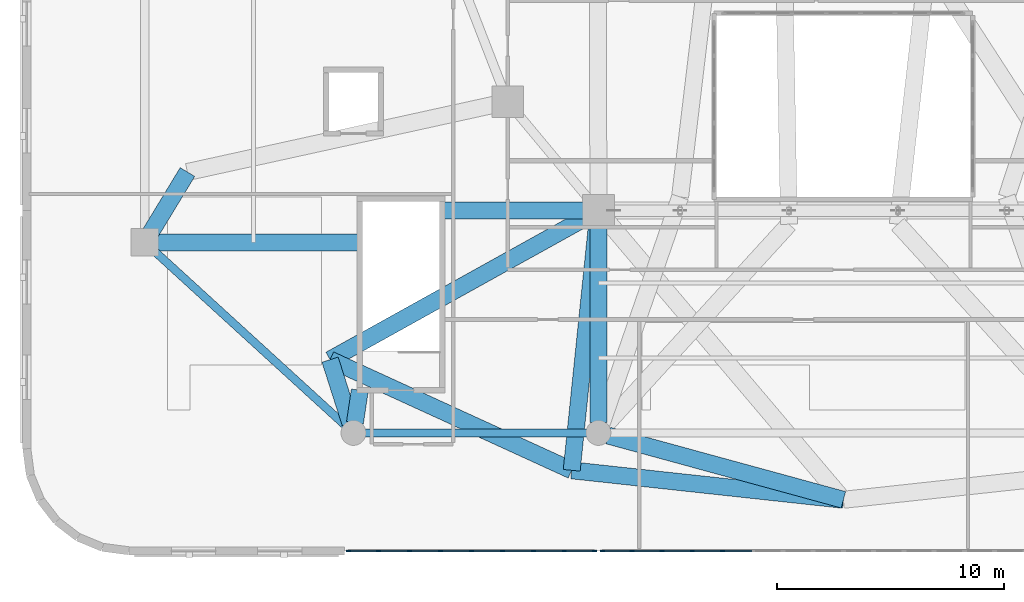
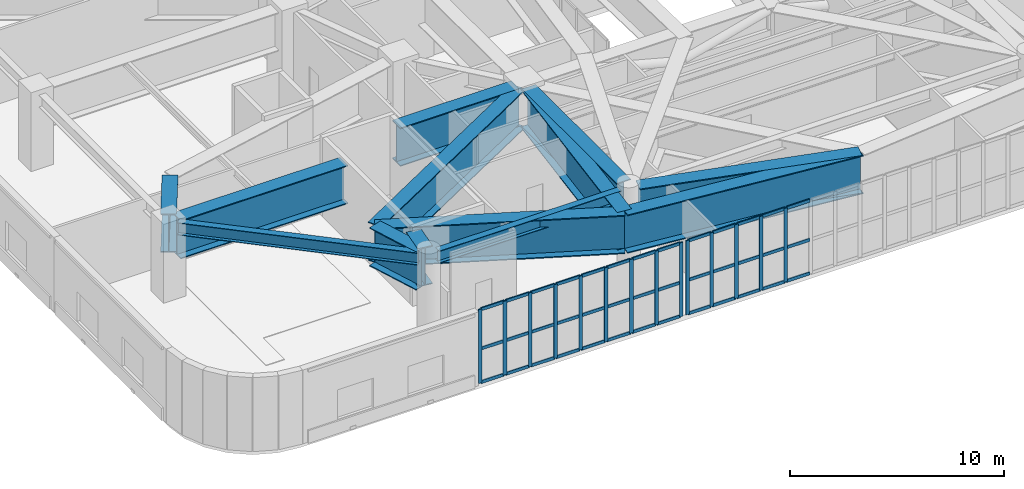
# One storey, part 3 of 26: 53 members, 13 beams, 2 elements without a shape of their own.
"""IFC4 building model written with IfcOpenShell, lengths in metres."""

import ifcopenshell
import ifcopenshell.guid

model = None  # the IFC model being written
_history = None  # IfcOwnerHistory: only IFC2X3 demands one
_inside = {}  # id of a spatial element -> (the spatial element, [elements in it])
_under = {}  # id of a project, library or spatial element -> (it, [spatial elements below it])
_declared = {}  # id of a project -> (the project, [libraries it declares])
_typed = {}  # id of a type object -> (the type object, [elements of that type])
_made_of = {}  # id of a material, layer set ... -> (it, [elements and type objects made of it])


def new_model(schema):
    """Start an empty IFC model of exactly this schema.

    Asked for "IFC4X3", IfcOpenShell would pick the latest addendum, in which some entities
    have other attributes; the version numbers below select the first issue.
    IFC2X3 requires an IfcOwnerHistory on every rooted entity: one is made here for all.
    """
    global model, _history
    if schema == "IFC4X3":
        model = ifcopenshell.file(schema_version=(4, 3, 0, 0))
    else:
        model = ifcopenshell.file(schema=schema)
    _inside.clear()
    _under.clear()
    _declared.clear()
    _typed.clear()
    _made_of.clear()
    _history = None
    if model.schema == "IFC2X3":
        org = make("IfcOrganization", Name="unknown")
        user = make(
            "IfcPersonAndOrganization",
            ThePerson=make("IfcPerson", FamilyName="unknown"),
            TheOrganization=org,
        )
        app = make(
            "IfcApplication",
            ApplicationDeveloper=org,
            Version="unknown",
            ApplicationFullName="unknown",
            ApplicationIdentifier="unknown",
        )
        _history = make(
            "IfcOwnerHistory",
            OwningUser=user,
            OwningApplication=app,
            ChangeAction="ADDED",
            CreationDate=0,
        )
    return model


def make(cls, **values):
    """One entity of the class cls with the attributes given. An attribute that is None is left unset."""
    return model.create_entity(
        cls, **{name: value for name, value in values.items() if value is not None}
    )


def rooted(cls, **values):
    """An entity with a GlobalId (a new one), such as an element, a storey or a relation."""
    return make(cls, GlobalId=ifcopenshell.guid.new(), OwnerHistory=_history, **values)


def si_unit(unit_type, name, prefix=None):
    """IfcSIUnit, for example si_unit("LENGTHUNIT", "METRE", prefix="MILLI")."""
    return make("IfcSIUnit", UnitType=unit_type, Prefix=prefix, Name=name)


def assignment(units):
    """IfcUnitAssignment: the units of a project."""
    return None if units is None else make("IfcUnitAssignment", Units=units)


def point(xyz):
    """IfcCartesianPoint."""
    return None if xyz is None else make("IfcCartesianPoint", Coordinates=xyz)


def direction(xyz):
    """IfcDirection."""
    return None if xyz is None else make("IfcDirection", DirectionRatios=xyz)


def frame(location, z_axis=None, x_axis=None):
    """IfcAxis2Placement3D, a coordinate frame: its origin and axes. An axis left out is left unset."""
    return make(
        "IfcAxis2Placement3D",
        Location=point(location),
        Axis=direction(z_axis),
        RefDirection=direction(x_axis),
    )


def frame_2d(location, x_axis=None):
    """IfcAxis2Placement2D, a coordinate frame in the plane: its origin and x axis."""
    return make(
        "IfcAxis2Placement2D", Location=point(location), RefDirection=direction(x_axis)
    )


def origin():
    """The frame at (0, 0, 0) with its axes left unset."""
    return frame((0.0, 0.0, 0.0))


def origin_2d():
    """The frame at (0, 0) in the plane with its x axis left unset."""
    return frame_2d((0.0, 0.0))


def place(relative_to, where):
    """IfcLocalPlacement: puts the frame where relative to a parent placement (None: the world)."""
    return make(
        "IfcLocalPlacement", PlacementRelTo=relative_to, RelativePlacement=where
    )


def context(
    kind, dimensions, precision=None, world=None, true_north=None, identifier=None
):
    """IfcGeometricRepresentationContext, for example the 3D "Model" context."""
    return make(
        "IfcGeometricRepresentationContext",
        ContextIdentifier=identifier,
        ContextType=kind,
        CoordinateSpaceDimension=dimensions,
        Precision=precision,
        WorldCoordinateSystem=world,
        TrueNorth=true_north,
    )


def subcontext(parent, identifier, kind, view, scale=None):
    """IfcGeometricRepresentationSubContext, for example "Body" below "Model"."""
    return make(
        "IfcGeometricRepresentationSubContext",
        ContextIdentifier=identifier,
        ContextType=kind,
        ParentContext=parent,
        TargetScale=scale,
        TargetView=view,
    )


def project(units=None, contexts=None):
    """IfcProject with its units and contexts."""
    return rooted(
        "IfcProject",
        Name="project",
        RepresentationContexts=contexts,
        UnitsInContext=assignment(units),
    )


def spatial(cls, under=None, at=None, **own):
    """A site, building, storey or space (cls), placed at a placement, below another one or the project."""
    s = rooted(cls, ObjectPlacement=at, **own)
    if under is not None:
        _under.setdefault(under.id(), (under, []))[1].append(s)
    return s


def profile(cls, at=None, kind="AREA", **sizes):
    """A parametric profile (cls). Its sizes go by their IFC names, for example OverallWidth=200.0."""
    return make(cls, ProfileType=kind, Position=at, **sizes)


def rectangle(**sizes):
    """IfcRectangleProfileDef."""
    return profile("IfcRectangleProfileDef", **sizes)


def i_section(**sizes):
    """IfcIShapeProfileDef."""
    return profile("IfcIShapeProfileDef", **sizes)


def extrude(swept, where, along, depth):
    """IfcExtrudedAreaSolid: the profile swept, set in the frame where, extruded along a direction by depth."""
    return make(
        "IfcExtrudedAreaSolid",
        SweptArea=swept,
        Position=where,
        ExtrudedDirection=direction(along),
        Depth=depth,
    )


def shape(context_of_items, identifier, shape_type, items):
    """IfcShapeRepresentation: the items that make up one representation, for example the "Body"."""
    return make(
        "IfcShapeRepresentation",
        ContextOfItems=context_of_items,
        RepresentationIdentifier=identifier,
        RepresentationType=shape_type,
        Items=items,
    )


def material(Name=None, Category=None):
    """IfcMaterial."""
    return make("IfcMaterial", Name=Name, Category=Category)


def material_profile(
    of_material, cross_section, Name=None, Category=None, Priority=None
):
    """IfcMaterialProfile: a cross section and its material."""
    return make(
        "IfcMaterialProfile",
        Name=Name,
        Material=of_material,
        Profile=cross_section,
        Priority=Priority,
        Category=Category,
    )


def profile_set(profiles, Name=None, composite=None):
    """IfcMaterialProfileSet."""
    return make(
        "IfcMaterialProfileSet",
        Name=Name,
        MaterialProfiles=profiles,
        CompositeProfile=composite,
    )


def made_of(thing, what):
    """Note that an element or type object is made of a material, layer set ...; save() writes the relation."""
    if what is not None:
        _made_of.setdefault(what.id(), (what, []))[1].append(thing)
    return thing


def type_object(cls, material=None, **own):
    """A type object (cls), such as IfcWallType, which elements share."""
    return made_of(rooted(cls, **own), material)


def element(
    cls,
    number,
    at=None,
    inside=None,
    cuts=None,
    type_object=None,
    material=None,
    context=None,
    identifier="Body",
    shape_type=None,
    held_by="IfcProductDefinitionShape",
    body=None,
    shapes=None,
    **own,
):
    """One element of the class cls, such as IfcWall. Its Tag is "e" and its number.

    at: its placement. inside: the storey or other place that contains it. cuts: it is an
    opening in that element (IfcRelVoidsElement). A single representation is given by context,
    identifier, shape_type and body (its items); several are given by shapes. held_by: the class
    of the entity that holds the representations. save() writes the other relations.
    """
    e = rooted(cls, Tag="e%d" % number, ObjectPlacement=at, **own)
    if body is not None:
        shapes = [shape(context, identifier, shape_type, body)]
    if shapes is not None:
        e.Representation = make(held_by, Representations=shapes)
    if inside is not None:
        _inside.setdefault(inside.id(), (inside, []))[1].append(e)
    if cuts is not None:
        rooted(
            "IfcRelVoidsElement", RelatingBuildingElement=cuts, RelatedOpeningElement=e
        )
    if type_object is not None:
        _typed.setdefault(type_object.id(), (type_object, []))[1].append(e)
    return made_of(e, material)


def aggregate(whole, parts):
    """IfcRelAggregates: a whole, such as a stair, and the parts it consists of."""
    return rooted("IfcRelAggregates", RelatingObject=whole, RelatedObjects=parts)


def save(model, path):
    """Write the relations noted so far, then the file.

    IfcRelAggregates (storeys below a building ...), IfcRelContainedInSpatialStructure (elements
    in a storey), IfcRelDefinesByType, IfcRelAssociatesMaterial and IfcRelDeclares: one each for
    every whole, place, type object, material and project.
    """
    for whole, parts in _under.values():
        aggregate(whole, parts)
    for where, things in _inside.values():
        rooted(
            "IfcRelContainedInSpatialStructure",
            RelatedElements=things,
            RelatingStructure=where,
        )
    for kind, things in _typed.values():
        rooted("IfcRelDefinesByType", RelatedObjects=things, RelatingType=kind)
    for what, things in _made_of.values():
        rooted("IfcRelAssociatesMaterial", RelatedObjects=things, RelatingMaterial=what)
    for by, libraries in _declared.values():
        rooted("IfcRelDeclares", RelatingContext=by, RelatedDefinitions=libraries)
    model.write(path)


model = new_model("IFC4")

# Units and contexts
model_context = context("Model", 3, precision=1e-05, world=origin(), true_north=direction((0.0, 1.0)))
body_context = subcontext(model_context, "Body", "Model", "MODEL_VIEW")
ifc_project = project(units=[si_unit("LENGTHUNIT", "METRE"), si_unit("AREAUNIT", "SQUARE_METRE"), si_unit("VOLUMEUNIT", "CUBIC_METRE"), si_unit("PLANEANGLEUNIT", "RADIAN"), si_unit("MASSUNIT", "GRAM", prefix="KILO")], contexts=[model_context])

# Site, building, storey
site_placement = place(None, origin())
site = spatial("IfcSite", under=ifc_project, at=site_placement, CompositionType="ELEMENT")
building_placement = place(site_placement, origin())
building = spatial("IfcBuilding", under=site, at=building_placement, Name="Haldorwick Loom Tower", CompositionType="ELEMENT")
storey_placement = place(building_placement, frame((0.0, 0.0, 19.5)))
storey = spatial("IfcBuildingStorey", under=building, at=storey_placement, Name="L04", CompositionType="ELEMENT", Elevation=19.5)

# Curtain wall, members
ifc_material_1 = material(Name="Thermally Broken Anodized Aluminium Curtain Wall Framing", Category="aluminium")
curtain_wall_type = type_object("IfcCurtainWallType", Name="ARC-CW-02", PredefinedType="NOTDEFINED", material=ifc_material_1)
curtain_wall_1_placement = place(storey_placement, origin())
curtain_wall_1 = element("IfcCurtainWall", 1, at=curtain_wall_1_placement, inside=storey, type_object=curtain_wall_type, Name="L04 Facade Curtain Wall CW-02 Bay 39", PredefinedType="NOTDEFINED")
ifc_material_profile_1 = material_profile(ifc_material_1, rectangle(XDim=0.070068359375, YDim=0.195068359375, at=origin_2d()), Name="ALU_MUL_70X195", Category="aluminium")
ifc_profile_set_1 = profile_set([ifc_material_profile_1], Name="Thermally Broken Anodized Aluminium Curtain Wall Framing")
member_type_1 = type_object("IfcMemberType", Name="ARC-CWM-02", PredefinedType="MULLION", material=ifc_profile_set_1)
member_1_placement = place(storey_placement, frame((14.175048828125, 0.0, 0.0), z_axis=(0.0, 0.0, 1.0), x_axis=(0.0, 1.0, 0.0)))
member_1 = element("IfcMember", 2, at=member_1_placement, type_object=member_type_1, Name="CW-02 mullion 1", PredefinedType="MULLION", context=body_context, shape_type="SweptSolid", body=[
    extrude(rectangle(XDim=0.070068359375, YDim=0.195068359375, at=origin_2d()), origin(), (0.0, 0.0, 1.0), 4.219970703125),
])
member_2_placement = place(storey_placement, frame((15.5048828125, 0.0, 0.0), z_axis=(0.0, 0.0, 1.0), x_axis=(0.0, 1.0, 0.0)))
member_2 = element("IfcMember", 3, at=member_2_placement, type_object=member_type_1, Name="CW-02 mullion 2", PredefinedType="MULLION", context=body_context, shape_type="SweptSolid", body=[
    extrude(rectangle(XDim=0.070068359375, YDim=0.195068359375, at=origin_2d()), origin(), (0.0, 0.0, 1.0), 4.219970703125),
])
member_3_placement = place(storey_placement, frame((16.8701171875, 0.0, 0.0), z_axis=(0.0, 0.0, 1.0), x_axis=(0.0, 1.0, 0.0)))
member_3 = element("IfcMember", 4, at=member_3_placement, type_object=member_type_1, Name="CW-02 mullion 3", PredefinedType="MULLION", context=body_context, shape_type="SweptSolid", body=[
    extrude(rectangle(XDim=0.070068359375, YDim=0.195068359375, at=origin_2d()), origin(), (0.0, 0.0, 1.0), 4.219970703125),
])
member_4_placement = place(storey_placement, frame((18.235107421875, 0.0, 0.0), z_axis=(0.0, 0.0, 1.0), x_axis=(0.0, 1.0, 0.0)))
member_4 = element("IfcMember", 5, at=member_4_placement, type_object=member_type_1, Name="CW-02 mullion 4", PredefinedType="MULLION", context=body_context, shape_type="SweptSolid", body=[
    extrude(rectangle(XDim=0.070068359375, YDim=0.195068359375, at=origin_2d()), origin(), (0.0, 0.0, 1.0), 4.219970703125),
])
member_5_placement = place(storey_placement, frame((19.60009765625, 0.0, 0.0), z_axis=(0.0, 0.0, 1.0), x_axis=(0.0, 1.0, 0.0)))
member_5 = element("IfcMember", 6, at=member_5_placement, type_object=member_type_1, Name="CW-02 mullion 5", PredefinedType="MULLION", context=body_context, shape_type="SweptSolid", body=[
    extrude(rectangle(XDim=0.070068359375, YDim=0.195068359375, at=origin_2d()), origin(), (0.0, 0.0, 1.0), 4.219970703125),
])
member_6_placement = place(storey_placement, frame((20.965087890625, 0.0, 0.0), z_axis=(0.0, 0.0, 1.0), x_axis=(0.0, 1.0, 0.0)))
member_6 = element("IfcMember", 7, at=member_6_placement, type_object=member_type_1, Name="CW-02 mullion 6", PredefinedType="MULLION", context=body_context, shape_type="SweptSolid", body=[
    extrude(rectangle(XDim=0.070068359375, YDim=0.195068359375, at=origin_2d()), origin(), (0.0, 0.0, 1.0), 4.219970703125),
])
member_7_placement = place(storey_placement, frame((22.330078125, 0.0, 0.0), z_axis=(0.0, 0.0, 1.0), x_axis=(0.0, 1.0, 0.0)))
member_7 = element("IfcMember", 8, at=member_7_placement, type_object=member_type_1, Name="CW-02 mullion 7", PredefinedType="MULLION", context=body_context, shape_type="SweptSolid", body=[
    extrude(rectangle(XDim=0.070068359375, YDim=0.195068359375, at=origin_2d()), origin(), (0.0, 0.0, 1.0), 4.219970703125),
])
member_8_placement = place(storey_placement, frame((23.695068359375, 0.0, 0.0), z_axis=(0.0, 0.0, 1.0), x_axis=(0.0, 1.0, 0.0)))
member_8 = element("IfcMember", 9, at=member_8_placement, type_object=member_type_1, Name="CW-02 mullion 8", PredefinedType="MULLION", context=body_context, shape_type="SweptSolid", body=[
    extrude(rectangle(XDim=0.070068359375, YDim=0.195068359375, at=origin_2d()), origin(), (0.0, 0.0, 1.0), 4.219970703125),
])
member_9_placement = place(storey_placement, frame((25.02490234375, 0.0, 0.0), z_axis=(0.0, 0.0, 1.0), x_axis=(0.0, 1.0, 0.0)))
member_9 = element("IfcMember", 10, at=member_9_placement, type_object=member_type_1, Name="CW-02 mullion 9", PredefinedType="MULLION", context=body_context, shape_type="SweptSolid", body=[
    extrude(rectangle(XDim=0.070068359375, YDim=0.195068359375, at=origin_2d()), origin(), (0.0, 0.0, 1.0), 4.219970703125),
])

curtain_wall_2_placement = place(storey_placement, origin())
curtain_wall_2 = element("IfcCurtainWall", 11, at=curtain_wall_2_placement, inside=storey, type_object=curtain_wall_type, Name="L04 Facade Curtain Wall CW-02 Bay 40", PredefinedType="NOTDEFINED")
member_10_placement = place(storey_placement, frame((25.375, 0.0, 0.0), z_axis=(0.0, 0.0, 1.0), x_axis=(0.0, 1.0, 0.0)))
member_10 = element("IfcMember", 12, at=member_10_placement, type_object=member_type_1, Name="CW-02 mullion 1", PredefinedType="MULLION", context=body_context, shape_type="SweptSolid", body=[
    extrude(rectangle(XDim=0.070068359375, YDim=0.195068359375, at=origin_2d()), origin(), (0.0, 0.0, 1.0), 4.219970703125),
])
member_11_placement = place(storey_placement, frame((26.672607421875, 0.0, 0.0), z_axis=(0.0, 0.0, 1.0), x_axis=(0.0, 1.0, 0.0)))
member_11 = element("IfcMember", 13, at=member_11_placement, type_object=member_type_1, Name="CW-02 mullion 2", PredefinedType="MULLION", context=body_context, shape_type="SweptSolid", body=[
    extrude(rectangle(XDim=0.070068359375, YDim=0.195068359375, at=origin_2d()), origin(), (0.0, 0.0, 1.0), 4.219970703125),
])
member_12_placement = place(storey_placement, frame((28.0048828125, 0.0, 0.0), z_axis=(0.0, 0.0, 1.0), x_axis=(0.0, 1.0, 0.0)))
member_12 = element("IfcMember", 14, at=member_12_placement, type_object=member_type_1, Name="CW-02 mullion 3", PredefinedType="MULLION", context=body_context, shape_type="SweptSolid", body=[
    extrude(rectangle(XDim=0.070068359375, YDim=0.195068359375, at=origin_2d()), origin(), (0.0, 0.0, 1.0), 4.219970703125),
])
member_13_placement = place(storey_placement, frame((29.33740234375, 0.0, 0.0), z_axis=(0.0, 0.0, 1.0), x_axis=(0.0, 1.0, 0.0)))
member_13 = element("IfcMember", 15, at=member_13_placement, type_object=member_type_1, Name="CW-02 mullion 4", PredefinedType="MULLION", context=body_context, shape_type="SweptSolid", body=[
    extrude(rectangle(XDim=0.070068359375, YDim=0.195068359375, at=origin_2d()), origin(), (0.0, 0.0, 1.0), 4.219970703125),
])
member_14_placement = place(storey_placement, frame((30.669921875, 0.0, 0.0), z_axis=(0.0, 0.0, 1.0), x_axis=(0.0, 1.0, 0.0)))
member_14 = element("IfcMember", 16, at=member_14_placement, type_object=member_type_1, Name="CW-02 mullion 5", PredefinedType="MULLION", context=body_context, shape_type="SweptSolid", body=[
    extrude(rectangle(XDim=0.070068359375, YDim=0.195068359375, at=origin_2d()), origin(), (0.0, 0.0, 1.0), 4.219970703125),
])

# Member
ifc_material_profile_2 = material_profile(ifc_material_1, rectangle(XDim=0.070068359375, YDim=0.175048828125, at=origin_2d()), Name="ALU_TRN_70X175", Category="aluminium")
ifc_profile_set_2 = profile_set([ifc_material_profile_2], Name="Thermally Broken Anodized Aluminium Curtain Wall Framing")
member_type_2 = type_object("IfcMemberType", Name="ARC-CWT-02", PredefinedType="USERDEFINED", material=ifc_profile_set_2)
member_15_placement = place(storey_placement, frame((14.2099609375, 0.0, 0.034912109375), z_axis=(1.0, 0.0, 0.0), x_axis=(0.0, 1.0, 0.0)))
member_15 = element("IfcMember", 17, at=member_15_placement, type_object=member_type_2, Name="CW-02 transom 1.1", ObjectType="TRANSOM", PredefinedType="USERDEFINED", context=body_context, shape_type="SweptSolid", body=[
    extrude(rectangle(XDim=0.070068359375, YDim=0.175048828125, at=origin_2d()), origin(), (0.0, 0.0, 1.0), 1.260009765625),
])

member_16_placement = place(storey_placement, frame((14.2099609375, 0.0, 1.949951171875), z_axis=(1.0, 0.0, 0.0), x_axis=(0.0, 1.0, 0.0)))
member_16 = element("IfcMember", 18, at=member_16_placement, type_object=member_type_2, Name="CW-02 transom 1.2", ObjectType="TRANSOM", PredefinedType="USERDEFINED", context=body_context, shape_type="SweptSolid", body=[
    extrude(rectangle(XDim=0.070068359375, YDim=0.175048828125, at=origin_2d()), origin(), (0.0, 0.0, 1.0), 1.260009765625),
])

member_17_placement = place(storey_placement, frame((14.2099609375, 0.0, 4.18505859375), z_axis=(1.0, 0.0, 0.0), x_axis=(0.0, 1.0, 0.0)))
member_17 = element("IfcMember", 19, at=member_17_placement, type_object=member_type_2, Name="CW-02 transom 1.3", ObjectType="TRANSOM", PredefinedType="USERDEFINED", context=body_context, shape_type="SweptSolid", body=[
    extrude(rectangle(XDim=0.070068359375, YDim=0.175048828125, at=origin_2d()), origin(), (0.0, 0.0, 1.0), 1.260009765625),
])

member_18_placement = place(storey_placement, frame((15.5400390625, 0.0, 0.034912109375), z_axis=(1.0, 0.0, 0.0), x_axis=(0.0, 1.0, 0.0)))
member_18 = element("IfcMember", 20, at=member_18_placement, type_object=member_type_2, Name="CW-02 transom 2.1", ObjectType="TRANSOM", PredefinedType="USERDEFINED", context=body_context, shape_type="SweptSolid", body=[
    extrude(rectangle(XDim=0.070068359375, YDim=0.175048828125, at=origin_2d()), origin(), (0.0, 0.0, 1.0), 1.294921875),
])

member_19_placement = place(storey_placement, frame((15.5400390625, 0.0, 1.949951171875), z_axis=(1.0, 0.0, 0.0), x_axis=(0.0, 1.0, 0.0)))
member_19 = element("IfcMember", 21, at=member_19_placement, type_object=member_type_2, Name="CW-02 transom 2.2", ObjectType="TRANSOM", PredefinedType="USERDEFINED", context=body_context, shape_type="SweptSolid", body=[
    extrude(rectangle(XDim=0.070068359375, YDim=0.175048828125, at=origin_2d()), origin(), (0.0, 0.0, 1.0), 1.294921875),
])

member_20_placement = place(storey_placement, frame((15.5400390625, 0.0, 4.18505859375), z_axis=(1.0, 0.0, 0.0), x_axis=(0.0, 1.0, 0.0)))
member_20 = element("IfcMember", 22, at=member_20_placement, type_object=member_type_2, Name="CW-02 transom 2.3", ObjectType="TRANSOM", PredefinedType="USERDEFINED", context=body_context, shape_type="SweptSolid", body=[
    extrude(rectangle(XDim=0.070068359375, YDim=0.175048828125, at=origin_2d()), origin(), (0.0, 0.0, 1.0), 1.294921875),
])

member_21_placement = place(storey_placement, frame((16.905029296875, 0.0, 0.034912109375), z_axis=(1.0, 0.0, 0.0), x_axis=(0.0, 1.0, 0.0)))
member_21 = element("IfcMember", 23, at=member_21_placement, type_object=member_type_2, Name="CW-02 transom 3.1", ObjectType="TRANSOM", PredefinedType="USERDEFINED", context=body_context, shape_type="SweptSolid", body=[
    extrude(rectangle(XDim=0.070068359375, YDim=0.175048828125, at=origin_2d()), origin(), (0.0, 0.0, 1.0), 1.294921875),
])

member_22_placement = place(storey_placement, frame((16.905029296875, 0.0, 1.949951171875), z_axis=(1.0, 0.0, 0.0), x_axis=(0.0, 1.0, 0.0)))
member_22 = element("IfcMember", 24, at=member_22_placement, type_object=member_type_2, Name="CW-02 transom 3.2", ObjectType="TRANSOM", PredefinedType="USERDEFINED", context=body_context, shape_type="SweptSolid", body=[
    extrude(rectangle(XDim=0.070068359375, YDim=0.175048828125, at=origin_2d()), origin(), (0.0, 0.0, 1.0), 1.294921875),
])

member_23_placement = place(storey_placement, frame((16.905029296875, 0.0, 4.18505859375), z_axis=(1.0, 0.0, 0.0), x_axis=(0.0, 1.0, 0.0)))
member_23 = element("IfcMember", 25, at=member_23_placement, type_object=member_type_2, Name="CW-02 transom 3.3", ObjectType="TRANSOM", PredefinedType="USERDEFINED", context=body_context, shape_type="SweptSolid", body=[
    extrude(rectangle(XDim=0.070068359375, YDim=0.175048828125, at=origin_2d()), origin(), (0.0, 0.0, 1.0), 1.294921875),
])

member_24_placement = place(storey_placement, frame((18.27001953125, 0.0, 0.034912109375), z_axis=(1.0, 0.0, 0.0), x_axis=(0.0, 1.0, 0.0)))
member_24 = element("IfcMember", 26, at=member_24_placement, type_object=member_type_2, Name="CW-02 transom 4.1", ObjectType="TRANSOM", PredefinedType="USERDEFINED", context=body_context, shape_type="SweptSolid", body=[
    extrude(rectangle(XDim=0.070068359375, YDim=0.175048828125, at=origin_2d()), origin(), (0.0, 0.0, 1.0), 1.294921875),
])

member_25_placement = place(storey_placement, frame((18.27001953125, 0.0, 1.949951171875), z_axis=(1.0, 0.0, 0.0), x_axis=(0.0, 1.0, 0.0)))
member_25 = element("IfcMember", 27, at=member_25_placement, type_object=member_type_2, Name="CW-02 transom 4.2", ObjectType="TRANSOM", PredefinedType="USERDEFINED", context=body_context, shape_type="SweptSolid", body=[
    extrude(rectangle(XDim=0.070068359375, YDim=0.175048828125, at=origin_2d()), origin(), (0.0, 0.0, 1.0), 1.294921875),
])

member_26_placement = place(storey_placement, frame((18.27001953125, 0.0, 4.18505859375), z_axis=(1.0, 0.0, 0.0), x_axis=(0.0, 1.0, 0.0)))
member_26 = element("IfcMember", 28, at=member_26_placement, type_object=member_type_2, Name="CW-02 transom 4.3", ObjectType="TRANSOM", PredefinedType="USERDEFINED", context=body_context, shape_type="SweptSolid", body=[
    extrude(rectangle(XDim=0.070068359375, YDim=0.175048828125, at=origin_2d()), origin(), (0.0, 0.0, 1.0), 1.294921875),
])

member_27_placement = place(storey_placement, frame((19.635009765625, 0.0, 0.034912109375), z_axis=(1.0, 0.0, 0.0), x_axis=(0.0, 1.0, 0.0)))
member_27 = element("IfcMember", 29, at=member_27_placement, type_object=member_type_2, Name="CW-02 transom 5.1", ObjectType="TRANSOM", PredefinedType="USERDEFINED", context=body_context, shape_type="SweptSolid", body=[
    extrude(rectangle(XDim=0.070068359375, YDim=0.175048828125, at=origin_2d()), origin(), (0.0, 0.0, 1.0), 1.294921875),
])

member_28_placement = place(storey_placement, frame((19.635009765625, 0.0, 1.949951171875), z_axis=(1.0, 0.0, 0.0), x_axis=(0.0, 1.0, 0.0)))
member_28 = element("IfcMember", 30, at=member_28_placement, type_object=member_type_2, Name="CW-02 transom 5.2", ObjectType="TRANSOM", PredefinedType="USERDEFINED", context=body_context, shape_type="SweptSolid", body=[
    extrude(rectangle(XDim=0.070068359375, YDim=0.175048828125, at=origin_2d()), origin(), (0.0, 0.0, 1.0), 1.294921875),
])

member_29_placement = place(storey_placement, frame((19.635009765625, 0.0, 4.18505859375), z_axis=(1.0, 0.0, 0.0), x_axis=(0.0, 1.0, 0.0)))
member_29 = element("IfcMember", 31, at=member_29_placement, type_object=member_type_2, Name="CW-02 transom 5.3", ObjectType="TRANSOM", PredefinedType="USERDEFINED", context=body_context, shape_type="SweptSolid", body=[
    extrude(rectangle(XDim=0.070068359375, YDim=0.175048828125, at=origin_2d()), origin(), (0.0, 0.0, 1.0), 1.294921875),
])

member_30_placement = place(storey_placement, frame((21.0, 0.0, 0.034912109375), z_axis=(1.0, 0.0, 0.0), x_axis=(0.0, 1.0, 0.0)))
member_30 = element("IfcMember", 32, at=member_30_placement, type_object=member_type_2, Name="CW-02 transom 6.1", ObjectType="TRANSOM", PredefinedType="USERDEFINED", context=body_context, shape_type="SweptSolid", body=[
    extrude(rectangle(XDim=0.070068359375, YDim=0.175048828125, at=origin_2d()), origin(), (0.0, 0.0, 1.0), 1.294921875),
])

member_31_placement = place(storey_placement, frame((21.0, 0.0, 1.949951171875), z_axis=(1.0, 0.0, 0.0), x_axis=(0.0, 1.0, 0.0)))
member_31 = element("IfcMember", 33, at=member_31_placement, type_object=member_type_2, Name="CW-02 transom 6.2", ObjectType="TRANSOM", PredefinedType="USERDEFINED", context=body_context, shape_type="SweptSolid", body=[
    extrude(rectangle(XDim=0.070068359375, YDim=0.175048828125, at=origin_2d()), origin(), (0.0, 0.0, 1.0), 1.294921875),
])

member_32_placement = place(storey_placement, frame((21.0, 0.0, 4.18505859375), z_axis=(1.0, 0.0, 0.0), x_axis=(0.0, 1.0, 0.0)))
member_32 = element("IfcMember", 34, at=member_32_placement, type_object=member_type_2, Name="CW-02 transom 6.3", ObjectType="TRANSOM", PredefinedType="USERDEFINED", context=body_context, shape_type="SweptSolid", body=[
    extrude(rectangle(XDim=0.070068359375, YDim=0.175048828125, at=origin_2d()), origin(), (0.0, 0.0, 1.0), 1.294921875),
])

member_33_placement = place(storey_placement, frame((22.364990234375, 0.0, 0.034912109375), z_axis=(1.0, 0.0, 0.0), x_axis=(0.0, 1.0, 0.0)))
member_33 = element("IfcMember", 35, at=member_33_placement, type_object=member_type_2, Name="CW-02 transom 7.1", ObjectType="TRANSOM", PredefinedType="USERDEFINED", context=body_context, shape_type="SweptSolid", body=[
    extrude(rectangle(XDim=0.070068359375, YDim=0.175048828125, at=origin_2d()), origin(), (0.0, 0.0, 1.0), 1.294921875),
])

member_34_placement = place(storey_placement, frame((22.364990234375, 0.0, 1.949951171875), z_axis=(1.0, 0.0, 0.0), x_axis=(0.0, 1.0, 0.0)))
member_34 = element("IfcMember", 36, at=member_34_placement, type_object=member_type_2, Name="CW-02 transom 7.2", ObjectType="TRANSOM", PredefinedType="USERDEFINED", context=body_context, shape_type="SweptSolid", body=[
    extrude(rectangle(XDim=0.070068359375, YDim=0.175048828125, at=origin_2d()), origin(), (0.0, 0.0, 1.0), 1.294921875),
])

member_35_placement = place(storey_placement, frame((22.364990234375, 0.0, 4.18505859375), z_axis=(1.0, 0.0, 0.0), x_axis=(0.0, 1.0, 0.0)))
member_35 = element("IfcMember", 37, at=member_35_placement, type_object=member_type_2, Name="CW-02 transom 7.3", ObjectType="TRANSOM", PredefinedType="USERDEFINED", context=body_context, shape_type="SweptSolid", body=[
    extrude(rectangle(XDim=0.070068359375, YDim=0.175048828125, at=origin_2d()), origin(), (0.0, 0.0, 1.0), 1.294921875),
])

member_36_placement = place(storey_placement, frame((23.72998046875, 0.0, 0.034912109375), z_axis=(1.0, 0.0, 0.0), x_axis=(0.0, 1.0, 0.0)))
member_36 = element("IfcMember", 38, at=member_36_placement, type_object=member_type_2, Name="CW-02 transom 8.1", ObjectType="TRANSOM", PredefinedType="USERDEFINED", context=body_context, shape_type="SweptSolid", body=[
    extrude(rectangle(XDim=0.070068359375, YDim=0.175048828125, at=origin_2d()), origin(), (0.0, 0.0, 1.0), 1.260009765625),
])

member_37_placement = place(storey_placement, frame((23.72998046875, 0.0, 1.949951171875), z_axis=(1.0, 0.0, 0.0), x_axis=(0.0, 1.0, 0.0)))
member_37 = element("IfcMember", 39, at=member_37_placement, type_object=member_type_2, Name="CW-02 transom 8.2", ObjectType="TRANSOM", PredefinedType="USERDEFINED", context=body_context, shape_type="SweptSolid", body=[
    extrude(rectangle(XDim=0.070068359375, YDim=0.175048828125, at=origin_2d()), origin(), (0.0, 0.0, 1.0), 1.260009765625),
])

member_38_placement = place(storey_placement, frame((23.72998046875, 0.0, 4.18505859375), z_axis=(1.0, 0.0, 0.0), x_axis=(0.0, 1.0, 0.0)))
member_38 = element("IfcMember", 40, at=member_38_placement, type_object=member_type_2, Name="CW-02 transom 8.3", ObjectType="TRANSOM", PredefinedType="USERDEFINED", context=body_context, shape_type="SweptSolid", body=[
    extrude(rectangle(XDim=0.070068359375, YDim=0.175048828125, at=origin_2d()), origin(), (0.0, 0.0, 1.0), 1.260009765625),
])

aggregate(curtain_wall_1, [member_1, member_2, member_3, member_4, member_5, member_6, member_7, member_8, member_9, member_15, member_16, member_17, member_18, member_19, member_20, member_21, member_22, member_23, member_24, member_25, member_26, member_27, member_28, member_29, member_30, member_31, member_32, member_33, member_34, member_35, member_36, member_37, member_38])

member_39_placement = place(storey_placement, frame((25.409912109375, 0.0, 0.034912109375), z_axis=(1.0, 0.0, 0.0), x_axis=(0.0, 1.0, 0.0)))
member_39 = element("IfcMember", 41, at=member_39_placement, type_object=member_type_2, Name="CW-02 transom 1.1", ObjectType="TRANSOM", PredefinedType="USERDEFINED", context=body_context, shape_type="SweptSolid", body=[
    extrude(rectangle(XDim=0.070068359375, YDim=0.175048828125, at=origin_2d()), origin(), (0.0, 0.0, 1.0), 1.2275390625),
])

member_40_placement = place(storey_placement, frame((25.409912109375, 0.0, 1.949951171875), z_axis=(1.0, 0.0, 0.0), x_axis=(0.0, 1.0, 0.0)))
member_40 = element("IfcMember", 42, at=member_40_placement, type_object=member_type_2, Name="CW-02 transom 1.2", ObjectType="TRANSOM", PredefinedType="USERDEFINED", context=body_context, shape_type="SweptSolid", body=[
    extrude(rectangle(XDim=0.070068359375, YDim=0.175048828125, at=origin_2d()), origin(), (0.0, 0.0, 1.0), 1.2275390625),
])

member_41_placement = place(storey_placement, frame((25.409912109375, 0.0, 4.18505859375), z_axis=(1.0, 0.0, 0.0), x_axis=(0.0, 1.0, 0.0)))
member_41 = element("IfcMember", 43, at=member_41_placement, type_object=member_type_2, Name="CW-02 transom 1.3", ObjectType="TRANSOM", PredefinedType="USERDEFINED", context=body_context, shape_type="SweptSolid", body=[
    extrude(rectangle(XDim=0.070068359375, YDim=0.175048828125, at=origin_2d()), origin(), (0.0, 0.0, 1.0), 1.2275390625),
])

member_42_placement = place(storey_placement, frame((26.70751953125, 0.0, 0.034912109375), z_axis=(1.0, 0.0, 0.0), x_axis=(0.0, 1.0, 0.0)))
member_42 = element("IfcMember", 44, at=member_42_placement, type_object=member_type_2, Name="CW-02 transom 2.1", ObjectType="TRANSOM", PredefinedType="USERDEFINED", context=body_context, shape_type="SweptSolid", body=[
    extrude(rectangle(XDim=0.070068359375, YDim=0.175048828125, at=origin_2d()), origin(), (0.0, 0.0, 1.0), 1.262451171875),
])

member_43_placement = place(storey_placement, frame((26.70751953125, 0.0, 1.949951171875), z_axis=(1.0, 0.0, 0.0), x_axis=(0.0, 1.0, 0.0)))
member_43 = element("IfcMember", 45, at=member_43_placement, type_object=member_type_2, Name="CW-02 transom 2.2", ObjectType="TRANSOM", PredefinedType="USERDEFINED", context=body_context, shape_type="SweptSolid", body=[
    extrude(rectangle(XDim=0.070068359375, YDim=0.175048828125, at=origin_2d()), origin(), (0.0, 0.0, 1.0), 1.262451171875),
])

member_44_placement = place(storey_placement, frame((26.70751953125, 0.0, 4.18505859375), z_axis=(1.0, 0.0, 0.0), x_axis=(0.0, 1.0, 0.0)))
member_44 = element("IfcMember", 46, at=member_44_placement, type_object=member_type_2, Name="CW-02 transom 2.3", ObjectType="TRANSOM", PredefinedType="USERDEFINED", context=body_context, shape_type="SweptSolid", body=[
    extrude(rectangle(XDim=0.070068359375, YDim=0.175048828125, at=origin_2d()), origin(), (0.0, 0.0, 1.0), 1.262451171875),
])

member_45_placement = place(storey_placement, frame((28.0400390625, 0.0, 0.034912109375), z_axis=(1.0, 0.0, 0.0), x_axis=(0.0, 1.0, 0.0)))
member_45 = element("IfcMember", 47, at=member_45_placement, type_object=member_type_2, Name="CW-02 transom 3.1", ObjectType="TRANSOM", PredefinedType="USERDEFINED", context=body_context, shape_type="SweptSolid", body=[
    extrude(rectangle(XDim=0.070068359375, YDim=0.175048828125, at=origin_2d()), origin(), (0.0, 0.0, 1.0), 1.262451171875),
])

member_46_placement = place(storey_placement, frame((28.0400390625, 0.0, 1.949951171875), z_axis=(1.0, 0.0, 0.0), x_axis=(0.0, 1.0, 0.0)))
member_46 = element("IfcMember", 48, at=member_46_placement, type_object=member_type_2, Name="CW-02 transom 3.2", ObjectType="TRANSOM", PredefinedType="USERDEFINED", context=body_context, shape_type="SweptSolid", body=[
    extrude(rectangle(XDim=0.070068359375, YDim=0.175048828125, at=origin_2d()), origin(), (0.0, 0.0, 1.0), 1.262451171875),
])

member_47_placement = place(storey_placement, frame((28.0400390625, 0.0, 4.18505859375), z_axis=(1.0, 0.0, 0.0), x_axis=(0.0, 1.0, 0.0)))
member_47 = element("IfcMember", 49, at=member_47_placement, type_object=member_type_2, Name="CW-02 transom 3.3", ObjectType="TRANSOM", PredefinedType="USERDEFINED", context=body_context, shape_type="SweptSolid", body=[
    extrude(rectangle(XDim=0.070068359375, YDim=0.175048828125, at=origin_2d()), origin(), (0.0, 0.0, 1.0), 1.262451171875),
])

member_48_placement = place(storey_placement, frame((29.37255859375, 0.0, 0.034912109375), z_axis=(1.0, 0.0, 0.0), x_axis=(0.0, 1.0, 0.0)))
member_48 = element("IfcMember", 50, at=member_48_placement, type_object=member_type_2, Name="CW-02 transom 4.1", ObjectType="TRANSOM", PredefinedType="USERDEFINED", context=body_context, shape_type="SweptSolid", body=[
    extrude(rectangle(XDim=0.070068359375, YDim=0.175048828125, at=origin_2d()), origin(), (0.0, 0.0, 1.0), 1.262451171875),
])

member_49_placement = place(storey_placement, frame((29.37255859375, 0.0, 1.949951171875), z_axis=(1.0, 0.0, 0.0), x_axis=(0.0, 1.0, 0.0)))
member_49 = element("IfcMember", 51, at=member_49_placement, type_object=member_type_2, Name="CW-02 transom 4.2", ObjectType="TRANSOM", PredefinedType="USERDEFINED", context=body_context, shape_type="SweptSolid", body=[
    extrude(rectangle(XDim=0.070068359375, YDim=0.175048828125, at=origin_2d()), origin(), (0.0, 0.0, 1.0), 1.262451171875),
])

member_50_placement = place(storey_placement, frame((29.37255859375, 0.0, 4.18505859375), z_axis=(1.0, 0.0, 0.0), x_axis=(0.0, 1.0, 0.0)))
member_50 = element("IfcMember", 52, at=member_50_placement, type_object=member_type_2, Name="CW-02 transom 4.3", ObjectType="TRANSOM", PredefinedType="USERDEFINED", context=body_context, shape_type="SweptSolid", body=[
    extrude(rectangle(XDim=0.070068359375, YDim=0.175048828125, at=origin_2d()), origin(), (0.0, 0.0, 1.0), 1.262451171875),
])

member_51_placement = place(storey_placement, frame((30.705078125, 0.0, 0.034912109375), z_axis=(1.0, 0.0, 0.0), x_axis=(0.0, 1.0, 0.0)))
member_51 = element("IfcMember", 53, at=member_51_placement, type_object=member_type_2, Name="CW-02 transom 5.1", ObjectType="TRANSOM", PredefinedType="USERDEFINED", context=body_context, shape_type="SweptSolid", body=[
    extrude(rectangle(XDim=0.070068359375, YDim=0.175048828125, at=origin_2d()), origin(), (0.0, 0.0, 1.0), 1.262451171875),
])

member_52_placement = place(storey_placement, frame((30.705078125, 0.0, 1.949951171875), z_axis=(1.0, 0.0, 0.0), x_axis=(0.0, 1.0, 0.0)))
member_52 = element("IfcMember", 54, at=member_52_placement, type_object=member_type_2, Name="CW-02 transom 5.2", ObjectType="TRANSOM", PredefinedType="USERDEFINED", context=body_context, shape_type="SweptSolid", body=[
    extrude(rectangle(XDim=0.070068359375, YDim=0.175048828125, at=origin_2d()), origin(), (0.0, 0.0, 1.0), 1.262451171875),
])

member_53_placement = place(storey_placement, frame((30.705078125, 0.0, 4.18505859375), z_axis=(1.0, 0.0, 0.0), x_axis=(0.0, 1.0, 0.0)))
member_53 = element("IfcMember", 55, at=member_53_placement, type_object=member_type_2, Name="CW-02 transom 5.3", ObjectType="TRANSOM", PredefinedType="USERDEFINED", context=body_context, shape_type="SweptSolid", body=[
    extrude(rectangle(XDim=0.070068359375, YDim=0.175048828125, at=origin_2d()), origin(), (0.0, 0.0, 1.0), 1.262451171875),
])

aggregate(curtain_wall_2, [member_10, member_11, member_12, member_13, member_14, member_39, member_40, member_41, member_42, member_43, member_44, member_45, member_46, member_47, member_48, member_49, member_50, member_51, member_52, member_53])

# Beams
ifc_material_2 = material(Name="Steel CSA G40.21 350W", Category="steel")
ifc_material_profile_3 = material_profile(ifc_material_2, i_section(OverallWidth=0.35498046875, OverallDepth=0.695068359375, WebThickness=0.015380859375, FlangeThickness=0.02490234375, at=origin_2d()), Name="W690X217", Category="steel")
ifc_profile_set_3 = profile_set([ifc_material_profile_3], Name="Steel CSA G40.21 350W")
beam_type_1 = type_object("IfcBeamType", Name="STR-BM-SP690", PredefinedType="SPANDREL", material=ifc_profile_set_3)
beam_1_placement = place(storey_placement, frame((5.554443359375, 13.2763671875, 3.87255859375), z_axis=(0.738482735745, -0.674272384876, 0.0), x_axis=(0.674272384876, 0.738482735745, 0.0)))
element("IfcBeam", 56, at=beam_1_placement, inside=storey, type_object=beam_type_1, Name="L04 Podium Spandrel PSP-S1", PredefinedType="SPANDREL", context=body_context, shape_type="SweptSolid", body=[
    extrude(i_section(OverallWidth=0.35498046875, OverallDepth=0.695068359375, WebThickness=0.015380859375, FlangeThickness=0.02490234375, at=origin_2d()), origin(), (0.0, 0.0, 1.0), 11.497802734375),
])
beam_2_placement = place(storey_placement, frame((14.8798828125, 5.199951171875, 3.87255859375), z_axis=(1.0, 0.0, 0.0), x_axis=(0.0, 1.0, 0.0)))
element("IfcBeam", 57, at=beam_2_placement, inside=storey, type_object=beam_type_1, Name="L04 Podium Spandrel PSP-S2", PredefinedType="SPANDREL", context=body_context, shape_type="SweptSolid", body=[
    extrude(i_section(OverallWidth=0.35498046875, OverallDepth=0.695068359375, WebThickness=0.015380859375, FlangeThickness=0.02490234375, at=origin_2d()), origin(), (0.0, 0.0, 1.0), 9.840087890625),
])
ifc_material_3 = material(Name="Steel CSA G40.21 350WT", Category="steel")
ifc_material_profile_4 = material_profile(ifc_material_3, i_section(OverallWidth=0.75, OverallDepth=2.199951171875, WebThickness=0.030029296875, FlangeThickness=0.054931640625, at=origin_2d()), Name="WWF2200X750", Category="steel")
ifc_profile_set_4 = profile_set([ifc_material_profile_4], Name="Steel CSA G40.21 350WT")
beam_type_2 = type_object("IfcBeamType", Name="STR-BM-TG2200", PredefinedType="BEAM", material=ifc_profile_set_4)
beam_3_placement = place(storey_placement, frame((25.199951171875, 5.64990234375, 3.1201171875), z_axis=(0.0, 1.0, 0.0), x_axis=(-1.0, 0.0, 0.0)))
element("IfcBeam", 58, at=beam_3_placement, inside=storey, type_object=beam_type_2, Name="L04 Podium Primary Girder PG-01", PredefinedType="BEAM", context=body_context, shape_type="SweptSolid", body=[
    extrude(i_section(OverallWidth=0.75, OverallDepth=2.199951171875, WebThickness=0.030029296875, FlangeThickness=0.054931640625, at=origin_2d()), origin(), (0.0, 0.0, 1.0), 8.900146484375),
])
beam_4_placement = place(storey_placement, frame((5.64990234375, 13.60009765625, 3.1201171875), z_axis=(1.0, 0.0, 0.0), x_axis=(0.0, 1.0, 0.0)))
element("IfcBeam", 59, at=beam_4_placement, inside=storey, type_object=beam_type_2, Name="L04 Podium Primary Girder PG-06A", PredefinedType="BEAM", context=body_context, shape_type="SweptSolid", body=[
    extrude(i_section(OverallWidth=0.75, OverallDepth=2.199951171875, WebThickness=0.030029296875, FlangeThickness=0.054931640625, at=origin_2d()), origin(), (0.0, 0.0, 1.0), 9.030029296875),
])
beam_5_placement = place(storey_placement, frame((18.320068359375, 15.0, 3.1201171875), z_axis=(1.0, 0.0, 0.0), x_axis=(0.0, 1.0, 0.0)))
element("IfcBeam", 60, at=beam_5_placement, inside=storey, type_object=beam_type_2, Name="L04 Podium Primary Girder PG-06B", PredefinedType="BEAM", context=body_context, shape_type="SweptSolid", body=[
    extrude(i_section(OverallWidth=0.75, OverallDepth=2.199951171875, WebThickness=0.030029296875, FlangeThickness=0.054931640625, at=origin_2d()), origin(), (0.0, 0.0, 1.0), 6.429931640625),
])
beam_6_placement = place(storey_placement, frame((14.46630859375, 5.64501953125, 3.1201171875), z_axis=(0.147237749014, 0.989101129948, 0.0), x_axis=(-0.989101129948, 0.147237749014, 0.0)))
element("IfcBeam", 61, at=beam_6_placement, inside=storey, type_object=beam_type_2, Name="L04 Podium Primary Girder PG-16", PredefinedType="BEAM", context=body_context, shape_type="SweptSolid", body=[
    extrude(i_section(OverallWidth=0.75, OverallDepth=2.199951171875, WebThickness=0.030029296875, FlangeThickness=0.054931640625, at=origin_2d()), origin(), (0.0, 0.0, 1.0), 1.450927734375),
])
beam_7_placement = place(storey_placement, frame((7.08251953125, 16.70068359375, 3.1201171875), z_axis=(-0.518952068393, -0.854803340372, 0.0), x_axis=(0.854803340372, -0.518952068393, 0.0)))
element("IfcBeam", 62, at=beam_7_placement, inside=storey, type_object=beam_type_2, Name="L04 Radial Transfer Girder 10 Outer", PredefinedType="BEAM", context=body_context, shape_type="SweptSolid", body=[
    extrude(i_section(OverallWidth=0.75, OverallDepth=2.199951171875, WebThickness=0.030029296875, FlangeThickness=0.054931640625, at=origin_2d()), origin(), (0.0, 0.0, 1.0), 3.177490234375),
])
beam_8_placement = place(storey_placement, frame((24.806640625, 14.781494140625, 3.1201171875), z_axis=(-0.874181041619, -0.485600150817, 0.0), x_axis=(0.485600150817, -0.874181041619, 0.0)))
element("IfcBeam", 63, at=beam_8_placement, inside=storey, type_object=beam_type_2, Name="L04 Radial Transfer Girder 11 Inner", PredefinedType="BEAM", context=body_context, shape_type="SweptSolid", body=[
    extrude(i_section(OverallWidth=0.75, OverallDepth=2.199951171875, WebThickness=0.030029296875, FlangeThickness=0.054931640625, at=origin_2d()), origin(), (0.0, 0.0, 1.0), 13.082763671875),
])
beam_9_placement = place(storey_placement, frame((13.369873046875, 8.428466796875, 3.1201171875), z_axis=(0.303964778978, -0.952683270107, 0.0), x_axis=(0.952683270107, 0.303964778978, 0.0)))
element("IfcBeam", 64, at=beam_9_placement, inside=storey, type_object=beam_type_2, Name="L04 Radial Transfer Girder 11 Outer", PredefinedType="BEAM", context=body_context, shape_type="SweptSolid", body=[
    extrude(i_section(OverallWidth=0.75, OverallDepth=2.199951171875, WebThickness=0.030029296875, FlangeThickness=0.054931640625, at=origin_2d()), origin(), (0.0, 0.0, 1.0), 2.93896484375),
])
beam_10_placement = place(storey_placement, frame((25.15380859375, 14.552490234375, 3.1201171875), z_axis=(-0.102329061132, -0.994750603542, 0.0), x_axis=(0.994750603542, -0.102329061132, 0.0)))
element("IfcBeam", 65, at=beam_10_placement, inside=storey, type_object=beam_type_2, Name="L04 Radial Transfer Girder 12 Inner", PredefinedType="BEAM", context=body_context, shape_type="SweptSolid", body=[
    extrude(i_section(OverallWidth=0.75, OverallDepth=2.199951171875, WebThickness=0.030029296875, FlangeThickness=0.054931640625, at=origin_2d()), origin(), (0.0, 0.0, 1.0), 11.060791015625),
])
beam_11_placement = place(storey_placement, frame((36.0, 2.25, 3.1201171875), z_axis=(-0.964664134079, 0.263482652981, 0.0), x_axis=(-0.263482652981, -0.964664134079, 0.0)))
element("IfcBeam", 66, at=beam_11_placement, inside=storey, type_object=beam_type_2, Name="L04 Radial Transfer Girder 13 Outer", PredefinedType="BEAM", context=body_context, shape_type="SweptSolid", body=[
    extrude(i_section(OverallWidth=0.75, OverallDepth=2.199951171875, WebThickness=0.030029296875, FlangeThickness=0.054931640625, at=origin_2d()), origin(), (0.0, 0.0, 1.0), 10.74560546875),
])
beam_12_placement = place(storey_placement, frame((13.369873046875, 8.428466796875, 3.1201171875), z_axis=(0.90917956143, -0.416404280811, 0.0), x_axis=(0.416404280811, 0.90917956143, 0.0)))
element("IfcBeam", 67, at=beam_12_placement, inside=storey, type_object=beam_type_2, Name="L04 South Tower Perimeter Ring Transfer Girder 1", PredefinedType="BEAM", context=body_context, shape_type="SweptSolid", body=[
    extrude(i_section(OverallWidth=0.75, OverallDepth=2.199951171875, WebThickness=0.030029296875, FlangeThickness=0.054931640625, at=origin_2d()), origin(), (0.0, 0.0, 1.0), 11.716064453125),
])
beam_13_placement = place(storey_placement, frame((24.02197265625, 3.5498046875, 3.1201171875), z_axis=(0.994163660215, -0.107882420753, 0.0), x_axis=(0.107882420753, 0.994163660215, 0.0)))
element("IfcBeam", 68, at=beam_13_placement, inside=storey, type_object=beam_type_2, Name="L04 South Tower Perimeter Ring Transfer Girder 2", PredefinedType="BEAM", context=body_context, shape_type="SweptSolid", body=[
    extrude(i_section(OverallWidth=0.75, OverallDepth=2.199951171875, WebThickness=0.030029296875, FlangeThickness=0.054931640625, at=origin_2d()), origin(), (0.0, 0.0, 1.0), 12.04833984375),
])

save(model, "model.ifc")
